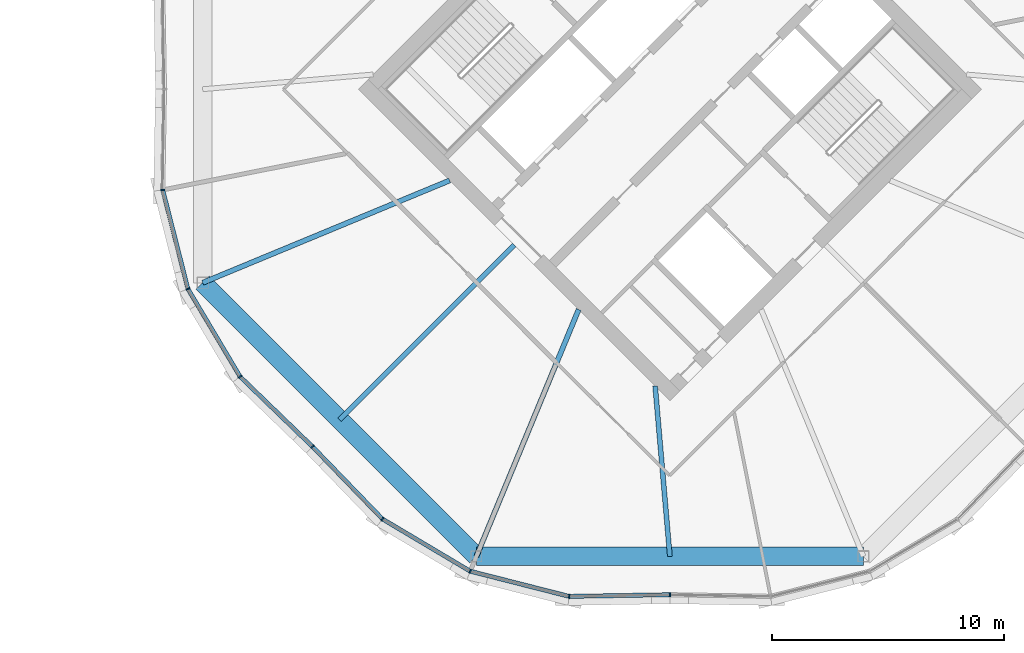
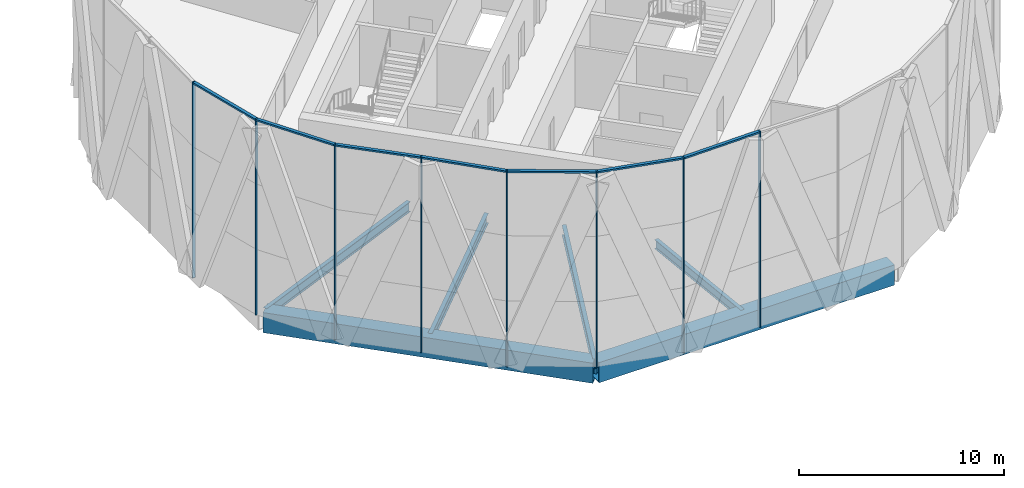
# One storey, part 8 of 23: 15 members, 6 beams, 2 elements without a shape of their own.
"""IFC4 building model written with IfcOpenShell, lengths in metres."""

import ifcopenshell
import ifcopenshell.guid

model = None  # the IFC model being written
_history = None  # IfcOwnerHistory: only IFC2X3 demands one
_inside = {}  # id of a spatial element -> (the spatial element, [elements in it])
_under = {}  # id of a project, library or spatial element -> (it, [spatial elements below it])
_declared = {}  # id of a project -> (the project, [libraries it declares])
_typed = {}  # id of a type object -> (the type object, [elements of that type])
_made_of = {}  # id of a material, layer set ... -> (it, [elements and type objects made of it])


def new_model(schema):
    """Start an empty IFC model of exactly this schema.

    Asked for "IFC4X3", IfcOpenShell would pick the latest addendum, in which some entities
    have other attributes; the version numbers below select the first issue.
    IFC2X3 requires an IfcOwnerHistory on every rooted entity: one is made here for all.
    """
    global model, _history
    if schema == "IFC4X3":
        model = ifcopenshell.file(schema_version=(4, 3, 0, 0))
    else:
        model = ifcopenshell.file(schema=schema)
    _inside.clear()
    _under.clear()
    _declared.clear()
    _typed.clear()
    _made_of.clear()
    _history = None
    if model.schema == "IFC2X3":
        org = make("IfcOrganization", Name="unknown")
        user = make(
            "IfcPersonAndOrganization",
            ThePerson=make("IfcPerson", FamilyName="unknown"),
            TheOrganization=org,
        )
        app = make(
            "IfcApplication",
            ApplicationDeveloper=org,
            Version="unknown",
            ApplicationFullName="unknown",
            ApplicationIdentifier="unknown",
        )
        _history = make(
            "IfcOwnerHistory",
            OwningUser=user,
            OwningApplication=app,
            ChangeAction="ADDED",
            CreationDate=0,
        )
    return model


def make(cls, **values):
    """One entity of the class cls with the attributes given. An attribute that is None is left unset."""
    return model.create_entity(
        cls, **{name: value for name, value in values.items() if value is not None}
    )


def rooted(cls, **values):
    """An entity with a GlobalId (a new one), such as an element, a storey or a relation."""
    return make(cls, GlobalId=ifcopenshell.guid.new(), OwnerHistory=_history, **values)


def si_unit(unit_type, name, prefix=None):
    """IfcSIUnit, for example si_unit("LENGTHUNIT", "METRE", prefix="MILLI")."""
    return make("IfcSIUnit", UnitType=unit_type, Prefix=prefix, Name=name)


def assignment(units):
    """IfcUnitAssignment: the units of a project."""
    return None if units is None else make("IfcUnitAssignment", Units=units)


def point(xyz):
    """IfcCartesianPoint."""
    return None if xyz is None else make("IfcCartesianPoint", Coordinates=xyz)


def direction(xyz):
    """IfcDirection."""
    return None if xyz is None else make("IfcDirection", DirectionRatios=xyz)


def frame(location, z_axis=None, x_axis=None):
    """IfcAxis2Placement3D, a coordinate frame: its origin and axes. An axis left out is left unset."""
    return make(
        "IfcAxis2Placement3D",
        Location=point(location),
        Axis=direction(z_axis),
        RefDirection=direction(x_axis),
    )


def frame_2d(location, x_axis=None):
    """IfcAxis2Placement2D, a coordinate frame in the plane: its origin and x axis."""
    return make(
        "IfcAxis2Placement2D", Location=point(location), RefDirection=direction(x_axis)
    )


def origin():
    """The frame at (0, 0, 0) with its axes left unset."""
    return frame((0.0, 0.0, 0.0))


def origin_2d():
    """The frame at (0, 0) in the plane with its x axis left unset."""
    return frame_2d((0.0, 0.0))


def place(relative_to, where):
    """IfcLocalPlacement: puts the frame where relative to a parent placement (None: the world)."""
    return make(
        "IfcLocalPlacement", PlacementRelTo=relative_to, RelativePlacement=where
    )


def context(
    kind, dimensions, precision=None, world=None, true_north=None, identifier=None
):
    """IfcGeometricRepresentationContext, for example the 3D "Model" context."""
    return make(
        "IfcGeometricRepresentationContext",
        ContextIdentifier=identifier,
        ContextType=kind,
        CoordinateSpaceDimension=dimensions,
        Precision=precision,
        WorldCoordinateSystem=world,
        TrueNorth=true_north,
    )


def subcontext(parent, identifier, kind, view, scale=None):
    """IfcGeometricRepresentationSubContext, for example "Body" below "Model"."""
    return make(
        "IfcGeometricRepresentationSubContext",
        ContextIdentifier=identifier,
        ContextType=kind,
        ParentContext=parent,
        TargetScale=scale,
        TargetView=view,
    )


def project(units=None, contexts=None):
    """IfcProject with its units and contexts."""
    return rooted(
        "IfcProject",
        Name="project",
        RepresentationContexts=contexts,
        UnitsInContext=assignment(units),
    )


def spatial(cls, under=None, at=None, **own):
    """A site, building, storey or space (cls), placed at a placement, below another one or the project."""
    s = rooted(cls, ObjectPlacement=at, **own)
    if under is not None:
        _under.setdefault(under.id(), (under, []))[1].append(s)
    return s


def profile(cls, at=None, kind="AREA", **sizes):
    """A parametric profile (cls). Its sizes go by their IFC names, for example OverallWidth=200.0."""
    return make(cls, ProfileType=kind, Position=at, **sizes)


def rectangle(**sizes):
    """IfcRectangleProfileDef."""
    return profile("IfcRectangleProfileDef", **sizes)


def hollow_rectangle(**sizes):
    """IfcRectangleHollowProfileDef."""
    return profile("IfcRectangleHollowProfileDef", **sizes)


def i_section(**sizes):
    """IfcIShapeProfileDef."""
    return profile("IfcIShapeProfileDef", **sizes)


def extrude(swept, where, along, depth):
    """IfcExtrudedAreaSolid: the profile swept, set in the frame where, extruded along a direction by depth."""
    return make(
        "IfcExtrudedAreaSolid",
        SweptArea=swept,
        Position=where,
        ExtrudedDirection=direction(along),
        Depth=depth,
    )


def shape(context_of_items, identifier, shape_type, items):
    """IfcShapeRepresentation: the items that make up one representation, for example the "Body"."""
    return make(
        "IfcShapeRepresentation",
        ContextOfItems=context_of_items,
        RepresentationIdentifier=identifier,
        RepresentationType=shape_type,
        Items=items,
    )


def material(Name=None, Category=None):
    """IfcMaterial."""
    return make("IfcMaterial", Name=Name, Category=Category)


def material_profile(
    of_material, cross_section, Name=None, Category=None, Priority=None
):
    """IfcMaterialProfile: a cross section and its material."""
    return make(
        "IfcMaterialProfile",
        Name=Name,
        Material=of_material,
        Profile=cross_section,
        Priority=Priority,
        Category=Category,
    )


def profile_set(profiles, Name=None, composite=None):
    """IfcMaterialProfileSet."""
    return make(
        "IfcMaterialProfileSet",
        Name=Name,
        MaterialProfiles=profiles,
        CompositeProfile=composite,
    )


def made_of(thing, what):
    """Note that an element or type object is made of a material, layer set ...; save() writes the relation."""
    if what is not None:
        _made_of.setdefault(what.id(), (what, []))[1].append(thing)
    return thing


def type_object(cls, material=None, **own):
    """A type object (cls), such as IfcWallType, which elements share."""
    return made_of(rooted(cls, **own), material)


def element(
    cls,
    number,
    at=None,
    inside=None,
    cuts=None,
    type_object=None,
    material=None,
    context=None,
    identifier="Body",
    shape_type=None,
    held_by="IfcProductDefinitionShape",
    body=None,
    shapes=None,
    **own,
):
    """One element of the class cls, such as IfcWall. Its Tag is "e" and its number.

    at: its placement. inside: the storey or other place that contains it. cuts: it is an
    opening in that element (IfcRelVoidsElement). A single representation is given by context,
    identifier, shape_type and body (its items); several are given by shapes. held_by: the class
    of the entity that holds the representations. save() writes the other relations.
    """
    e = rooted(cls, Tag="e%d" % number, ObjectPlacement=at, **own)
    if body is not None:
        shapes = [shape(context, identifier, shape_type, body)]
    if shapes is not None:
        e.Representation = make(held_by, Representations=shapes)
    if inside is not None:
        _inside.setdefault(inside.id(), (inside, []))[1].append(e)
    if cuts is not None:
        rooted(
            "IfcRelVoidsElement", RelatingBuildingElement=cuts, RelatedOpeningElement=e
        )
    if type_object is not None:
        _typed.setdefault(type_object.id(), (type_object, []))[1].append(e)
    return made_of(e, material)


def aggregate(whole, parts):
    """IfcRelAggregates: a whole, such as a stair, and the parts it consists of."""
    return rooted("IfcRelAggregates", RelatingObject=whole, RelatedObjects=parts)


def save(model, path):
    """Write the relations noted so far, then the file.

    IfcRelAggregates (storeys below a building ...), IfcRelContainedInSpatialStructure (elements
    in a storey), IfcRelDefinesByType, IfcRelAssociatesMaterial and IfcRelDeclares: one each for
    every whole, place, type object, material and project.
    """
    for whole, parts in _under.values():
        aggregate(whole, parts)
    for where, things in _inside.values():
        rooted(
            "IfcRelContainedInSpatialStructure",
            RelatedElements=things,
            RelatingStructure=where,
        )
    for kind, things in _typed.values():
        rooted("IfcRelDefinesByType", RelatedObjects=things, RelatingType=kind)
    for what, things in _made_of.values():
        rooted("IfcRelAssociatesMaterial", RelatedObjects=things, RelatingMaterial=what)
    for by, libraries in _declared.values():
        rooted("IfcRelDeclares", RelatingContext=by, RelatedDefinitions=libraries)
    model.write(path)


model = new_model("IFC4")

# Units and contexts
model_context = context("Model", 3, precision=1e-05, world=origin(), true_north=direction((0.0, 1.0)))
body_context = subcontext(model_context, "Body", "Model", "MODEL_VIEW")
ifc_project = project(units=[si_unit("LENGTHUNIT", "METRE"), si_unit("AREAUNIT", "SQUARE_METRE"), si_unit("VOLUMEUNIT", "CUBIC_METRE"), si_unit("PLANEANGLEUNIT", "RADIAN"), si_unit("MASSUNIT", "GRAM", prefix="KILO")], contexts=[model_context])

# Site, building, storey
site_placement = place(None, origin())
site = spatial("IfcSite", under=ifc_project, at=site_placement, CompositionType="ELEMENT")
building_placement = place(site_placement, origin())
building = spatial("IfcBuilding", under=site, at=building_placement, Name="Ogive Gate Towers", CompositionType="ELEMENT")
storey_placement = place(building_placement, frame((0.0, 0.0, 177.300048828125)))
storey = spatial("IfcBuildingStorey", under=building, at=storey_placement, Name="L42", CompositionType="ELEMENT", Elevation=177.300048828125)

# Beams
ifc_material_1 = material(Name="Steel SM460", Category="steel")
ifc_material_profile_1 = material_profile(ifc_material_1, hollow_rectangle(XDim=0.800048828125, YDim=1.199951171875, WallThickness=0.050048828125, at=origin_2d()), Name="BX 1200x800x50")
ifc_profile_set_1 = profile_set([ifc_material_profile_1], Name="Steel SM460")
beam_type_1 = type_object("IfcBeamType", Name="Edge girder BX 1200x800x50", PredefinedType="BEAM", material=ifc_profile_set_1)
beam_1_placement = place(storey_placement, frame((15.85009765625, -8.346435546875, -0.900146484375), z_axis=(0.707106781187, -0.707106781187, 0.0), x_axis=(0.707106781187, 0.707106781187, 0.0)))
element("IfcBeam", 1, at=beam_1_placement, inside=storey, type_object=beam_type_1, Name="T2/L42/SBM017", PredefinedType="BEAM", context=body_context, shape_type="SweptSolid", body=[
    extrude(hollow_rectangle(XDim=0.800048828125, YDim=1.199951171875, WallThickness=0.050048828125, at=origin_2d()), origin(), (0.0, 0.0, 1.0), 16.692626953125),
])
beam_2_placement = place(storey_placement, frame((27.653564453125, -20.14990234375, -0.900146484375), z_axis=(1.0, 0.0, 0.0), x_axis=(0.0, 1.0, 0.0)))
element("IfcBeam", 2, at=beam_2_placement, inside=storey, type_object=beam_type_1, Name="T2/L42/SBM018", PredefinedType="BEAM", context=body_context, shape_type="SweptSolid", body=[
    extrude(hollow_rectangle(XDim=0.800048828125, YDim=1.199951171875, WallThickness=0.050048828125, at=origin_2d()), origin(), (0.0, 0.0, 1.0), 16.69287109375),
])
ifc_material_2 = material(Name="Steel SM355", Category="steel")
ifc_material_profile_2 = material_profile(ifc_material_2, i_section(OverallWidth=0.2099609375, OverallDepth=0.550048828125, WebThickness=0.010986328125, FlangeThickness=0.01708984375, FilletRadius=0.02392578125, at=origin_2d()), Name="IPE 550")
ifc_profile_set_2 = profile_set([ifc_material_profile_2], Name="Steel SM355")
beam_type_2 = type_object("IfcBeamType", Name="Radial floor beam IPE 550", PredefinedType="BEAM", material=ifc_profile_set_2)
beam_3_placement = place(storey_placement, frame((35.363525390625, -12.798583984375, -0.574951171875), z_axis=(0.086256966176, -0.996272922339, 0.0), x_axis=(0.996272922339, 0.086256966176, 0.0)))
element("IfcBeam", 3, at=beam_3_placement, inside=storey, type_object=beam_type_2, Name="T2/L42/SBM004", PredefinedType="BEAM", context=body_context, shape_type="SweptSolid", body=[
    extrude(i_section(OverallWidth=0.2099609375, OverallDepth=0.550048828125, WebThickness=0.010986328125, FlangeThickness=0.01708984375, FilletRadius=0.02392578125, at=origin_2d()), origin(), (0.0, 0.0, 1.0), 7.37890625),
])
ifc_material_profile_3 = material_profile(ifc_material_2, i_section(OverallWidth=0.219970703125, OverallDepth=0.60009765625, WebThickness=0.011962890625, FlangeThickness=0.01904296875, FilletRadius=0.02392578125, at=origin_2d()), Name="IPE 600")
ifc_profile_set_3 = profile_set([ifc_material_profile_3], Name="Steel SM355")
beam_type_3 = type_object("IfcBeamType", Name="Radial floor beam IPE 600", PredefinedType="BEAM", material=ifc_profile_set_3)
beam_4_placement = place(storey_placement, frame((26.5, -3.93505859375, -0.60009765625), z_axis=(-0.923878214756, -0.382686613691, 0.0), x_axis=(0.382686613691, -0.923878214756, 0.0)))
element("IfcBeam", 4, at=beam_4_placement, inside=storey, type_object=beam_type_3, Name="T2/L42/SBM001", PredefinedType="BEAM", context=body_context, shape_type="SweptSolid", body=[
    extrude(i_section(OverallWidth=0.219970703125, OverallDepth=0.60009765625, WebThickness=0.011962890625, FlangeThickness=0.01904296875, FilletRadius=0.02392578125, at=origin_2d()), origin(), (0.0, 0.0, 1.0), 11.52734375),
])
beam_5_placement = place(storey_placement, frame((29.282470703125, -6.717529296875, -0.60009765625), z_axis=(-0.707106781187, -0.707106781187, 0.0), x_axis=(0.707106781187, -0.707106781187, 0.0)))
element("IfcBeam", 5, at=beam_5_placement, inside=storey, type_object=beam_type_3, Name="T2/L42/SBM002", PredefinedType="BEAM", context=body_context, shape_type="SweptSolid", body=[
    extrude(i_section(OverallWidth=0.219970703125, OverallDepth=0.60009765625, WebThickness=0.011962890625, FlangeThickness=0.01904296875, FilletRadius=0.02392578125, at=origin_2d()), origin(), (0.0, 0.0, 1.0), 10.649658203125),
])
beam_6_placement = place(storey_placement, frame((32.06494140625, -9.5, -0.60009765625), z_axis=(-0.382686613691, -0.923878214756, 0.0), x_axis=(0.923878214756, -0.382686613691, 0.0)))
element("IfcBeam", 6, at=beam_6_placement, inside=storey, type_object=beam_type_3, Name="T2/L42/SBM003", PredefinedType="BEAM", context=body_context, shape_type="SweptSolid", body=[
    extrude(i_section(OverallWidth=0.219970703125, OverallDepth=0.60009765625, WebThickness=0.011962890625, FlangeThickness=0.01904296875, FilletRadius=0.02392578125, at=origin_2d()), origin(), (0.0, 0.0, 1.0), 11.52734375),
])

# Curtain wall, members
ifc_material_3 = material(Name="Pale metal aluminium", Category="aluminium")
curtain_wall_type = type_object("IfcCurtainWallType", Name="Tower unitised wall, high zone", PredefinedType="NOTDEFINED", material=ifc_material_3)
curtain_wall_1_placement = place(storey_placement, origin())
curtain_wall_1 = element("IfcCurtainWall", 7, at=curtain_wall_1_placement, inside=storey, type_object=curtain_wall_type, Name="CW2 T2 ECW05", PredefinedType="NOTDEFINED")
ifc_material_profile_4 = material_profile(ifc_material_3, rectangle(XDim=0.179931640625, YDim=0.06005859375, at=origin_2d()), Name="60 x 180 aluminium box")
ifc_profile_set_4 = profile_set([ifc_material_profile_4], Name="Pale metal aluminium")
member_type_1 = type_object("IfcMemberType", Name="Tower unitised wall, high zone mullion 60 x 180", PredefinedType="MULLION", material=ifc_profile_set_4)
member_1_placement = place(storey_placement, frame((14.12646484375, -4.343505859375, -0.300048828125), z_axis=(0.0, 0.0, 1.0), x_axis=(-0.993272085779, -0.115803987891, 0.0)))
member_1 = element("IfcMember", 8, at=member_1_placement, type_object=member_type_1, Name="CW2 mullion", PredefinedType="MULLION", context=body_context, shape_type="SweptSolid", body=[
    extrude(rectangle(XDim=0.179931640625, YDim=0.06005859375, at=origin_2d()), origin(), (0.0, 0.0, 1.0), 11.699951171875),
])
member_2_placement = place(storey_placement, frame((15.211669921875, -8.61083984375, -0.300048828125), z_axis=(0.0, 0.0, 1.0), x_axis=(-0.923879532511, -0.382683432365, 0.0)))
member_2 = element("IfcMember", 9, at=member_2_placement, type_object=member_type_1, Name="CW2 mullion", PredefinedType="MULLION", context=body_context, shape_type="SweptSolid", body=[
    extrude(rectangle(XDim=0.179931640625, YDim=0.06005859375, at=origin_2d()), origin(), (0.0, 0.0, 1.0), 11.699951171875),
])
member_3_placement = place(storey_placement, frame((17.461669921875, -12.3955078125, -0.300048828125), z_axis=(0.0, 0.0, 1.0), x_axis=(-0.784235212544, -0.620463642292, 0.0)))
member_3 = element("IfcMember", 10, at=member_3_placement, type_object=member_type_1, Name="CW2 mullion", PredefinedType="MULLION", context=body_context, shape_type="SweptSolid", body=[
    extrude(rectangle(XDim=0.179931640625, YDim=0.06005859375, at=origin_2d()), origin(), (0.0, 0.0, 1.0), 11.699951171875),
])
member_4_placement = place(storey_placement, frame((20.5849609375, -15.414794921875, -0.300048828125), z_axis=(0.0, 0.0, 1.0), x_axis=(-0.69504746905, -0.71896384872, 0.0)))
member_4 = element("IfcMember", 11, at=member_4_placement, type_object=member_type_1, Name="CW2 mullion", PredefinedType="MULLION", context=body_context, shape_type="SweptSolid", body=[
    extrude(rectangle(XDim=0.179931640625, YDim=0.06005859375, at=origin_2d()), origin(), (0.0, 0.0, 1.0), 11.699951171875),
])

curtain_wall_2_placement = place(storey_placement, origin())
curtain_wall_2 = element("IfcCurtainWall", 12, at=curtain_wall_2_placement, inside=storey, type_object=curtain_wall_type, Name="CW2 T2 ECW06", PredefinedType="NOTDEFINED")
member_5_placement = place(storey_placement, frame((23.6044921875, -18.538330078125, -0.300048828125), z_axis=(0.0, 0.0, 1.0), x_axis=(-0.620463642292, -0.784235212544, 0.0)))
member_5 = element("IfcMember", 13, at=member_5_placement, type_object=member_type_1, Name="CW2 mullion", PredefinedType="MULLION", context=body_context, shape_type="SweptSolid", body=[
    extrude(rectangle(XDim=0.179931640625, YDim=0.06005859375, at=origin_2d()), origin(), (0.0, 0.0, 1.0), 11.699951171875),
])
member_6_placement = place(storey_placement, frame((27.38916015625, -20.788330078125, -0.300048828125), z_axis=(0.0, 0.0, 1.0), x_axis=(-0.382683432365, -0.923879532511, 0.0)))
member_6 = element("IfcMember", 14, at=member_6_placement, type_object=member_type_1, Name="CW2 mullion", PredefinedType="MULLION", context=body_context, shape_type="SweptSolid", body=[
    extrude(rectangle(XDim=0.179931640625, YDim=0.06005859375, at=origin_2d()), origin(), (0.0, 0.0, 1.0), 11.699951171875),
])
member_7_placement = place(storey_placement, frame((31.656494140625, -21.87353515625, -0.300048828125), z_axis=(0.0, 0.0, 1.0), x_axis=(-0.115803987891, -0.993272085779, 0.0)))
member_7 = element("IfcMember", 15, at=member_7_placement, type_object=member_type_1, Name="CW2 mullion", PredefinedType="MULLION", context=body_context, shape_type="SweptSolid", body=[
    extrude(rectangle(XDim=0.179931640625, YDim=0.06005859375, at=origin_2d()), origin(), (0.0, 0.0, 1.0), 11.699951171875),
])
member_8_placement = place(storey_placement, frame((35.999755859375, -21.800048828125, -0.300048828125), z_axis=(0.0, 0.0, 1.0), x_axis=(0.016911434246, -0.99985699147, 0.0)))
member_8 = element("IfcMember", 16, at=member_8_placement, type_object=member_type_1, Name="CW2 mullion", PredefinedType="MULLION", context=body_context, shape_type="SweptSolid", body=[
    extrude(rectangle(XDim=0.179931640625, YDim=0.06005859375, at=origin_2d()), origin(), (0.0, 0.0, 1.0), 11.699951171875),
])

# Member
ifc_material_profile_5 = material_profile(ifc_material_3, rectangle(XDim=0.179931640625, YDim=0.10009765625, at=origin_2d()), Name="100 x 180 aluminium box")
ifc_profile_set_5 = profile_set([ifc_material_profile_5], Name="Pale metal aluminium")
member_type_2 = type_object("IfcMemberType", Name="Tower unitised wall, high zone transom 100 x 180", PredefinedType="USERDEFINED", material=ifc_profile_set_5)
member_9_placement = place(storey_placement, frame((14.133544921875, -4.37109375, 11.349853515625), z_axis=(0.246498942099, -0.969143060412, 0.0), x_axis=(0.969143060412, 0.246498942099, 0.0)))
member_9 = element("IfcMember", 17, at=member_9_placement, type_object=member_type_2, Name="CW2 transom", ObjectType="TRANSOM", PredefinedType="USERDEFINED", context=body_context, shape_type="SweptSolid", body=[
    extrude(rectangle(XDim=0.179931640625, YDim=0.10009765625, at=origin_2d()), origin(), (0.0, 0.0, 1.0), 4.345947265625),
])

member_10_placement = place(storey_placement, frame((15.226318359375, -8.63525390625, 11.349853515625), z_axis=(0.511038375885, -0.859557897045, 0.0), x_axis=(0.859557897045, 0.511038375885, 0.0)))
member_10 = element("IfcMember", 18, at=member_10_placement, type_object=member_type_2, Name="CW2 transom", ObjectType="TRANSOM", PredefinedType="USERDEFINED", context=body_context, shape_type="SweptSolid", body=[
    extrude(rectangle(XDim=0.179931640625, YDim=0.10009765625, at=origin_2d()), origin(), (0.0, 0.0, 1.0), 4.345947265625),
])

member_11_placement = place(storey_placement, frame((17.482421875, -12.41552734375, 11.349853515625), z_axis=(0.718969396477, -0.695041730351, 0.0), x_axis=(0.695041730351, 0.718969396477, 0.0)))
member_11 = element("IfcMember", 19, at=member_11_placement, type_object=member_type_2, Name="CW2 transom", ObjectType="TRANSOM", PredefinedType="USERDEFINED", context=body_context, shape_type="SweptSolid", body=[
    extrude(rectangle(XDim=0.179931640625, YDim=0.10009765625, at=origin_2d()), origin(), (0.0, 0.0, 1.0), 4.285400390625),
])

aggregate(curtain_wall_1, [member_1, member_2, member_9, member_3, member_10, member_4, member_11])

member_12_placement = place(storey_placement, frame((20.60595703125, -15.4365234375, 11.349853515625), z_axis=(0.695041730351, -0.718969396477, 0.0), x_axis=(0.718969396477, 0.695041730351, 0.0)))
member_12 = element("IfcMember", 20, at=member_12_placement, type_object=member_type_2, Name="CW2 transom", ObjectType="TRANSOM", PredefinedType="USERDEFINED", context=body_context, shape_type="SweptSolid", body=[
    extrude(rectangle(XDim=0.179931640625, YDim=0.10009765625, at=origin_2d()), origin(), (0.0, 0.0, 1.0), 4.285400390625),
])

member_13_placement = place(storey_placement, frame((23.629150390625, -18.552734375, 11.349853515625), z_axis=(0.859557897045, -0.511038375885, 0.0), x_axis=(0.511038375885, 0.859557897045, 0.0)))
member_13 = element("IfcMember", 21, at=member_13_placement, type_object=member_type_2, Name="CW2 transom", ObjectType="TRANSOM", PredefinedType="USERDEFINED", context=body_context, shape_type="SweptSolid", body=[
    extrude(rectangle(XDim=0.179931640625, YDim=0.10009765625, at=origin_2d()), origin(), (0.0, 0.0, 1.0), 4.345947265625),
])

member_14_placement = place(storey_placement, frame((27.4169921875, -20.795166015625, 11.349853515625), z_axis=(0.969143060412, -0.246498942099, 0.0), x_axis=(0.246498942099, 0.969143060412, 0.0)))
member_14 = element("IfcMember", 22, at=member_14_placement, type_object=member_type_2, Name="CW2 transom", ObjectType="TRANSOM", PredefinedType="USERDEFINED", context=body_context, shape_type="SweptSolid", body=[
    extrude(rectangle(XDim=0.179931640625, YDim=0.10009765625, at=origin_2d()), origin(), (0.0, 0.0, 1.0), 4.345947265625),
])

member_15_placement = place(storey_placement, frame((31.685302734375, -21.873046875, 11.349853515625), z_axis=(0.999856819171, 0.016921618058, 0.0), x_axis=(-0.016921618058, 0.999856819171, 0.0)))
member_15 = element("IfcMember", 23, at=member_15_placement, type_object=member_type_2, Name="CW2 transom", ObjectType="TRANSOM", PredefinedType="USERDEFINED", context=body_context, shape_type="SweptSolid", body=[
    extrude(rectangle(XDim=0.179931640625, YDim=0.10009765625, at=origin_2d()), origin(), (0.0, 0.0, 1.0), 4.28515625),
])

aggregate(curtain_wall_2, [member_5, member_12, member_6, member_13, member_7, member_14, member_8, member_15])

save(model, "model.ifc")
